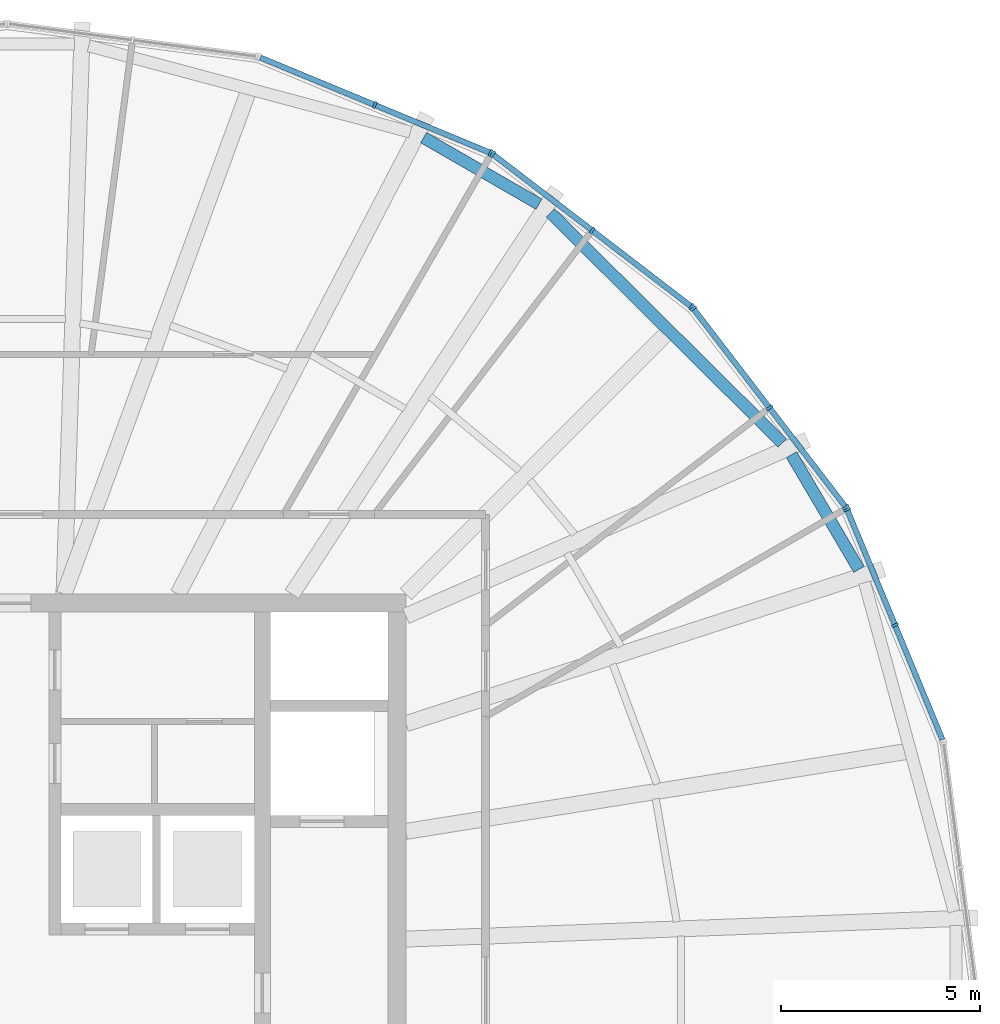
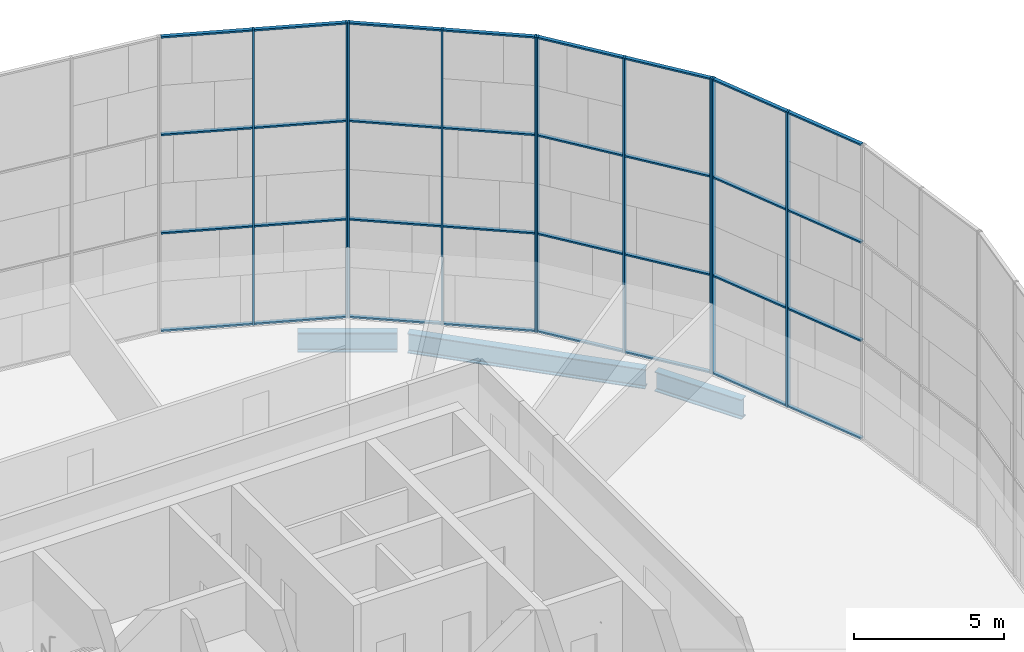
# One storey, part 8 of 22: 42 members, 3 beams, 4 elements without a shape of their own.
"""IFC4 building model written with IfcOpenShell, lengths in metres."""

from ifc_helpers import new_model, si_unit, direction, frame, origin, origin_2d, place, context, subcontext, project, spatial, rectangle, i_section, extrude, material, material_profile, profile_set, type_object, element, aggregate, save


model = new_model("IFC4")

# Units and contexts
model_context = context("Model", 3, precision=1e-05, world=origin(), true_north=direction((0.0, 1.0)))
body_context = subcontext(model_context, "Body", "Model", "MODEL_VIEW")
ifc_project = project(units=[si_unit("LENGTHUNIT", "METRE"), si_unit("AREAUNIT", "SQUARE_METRE"), si_unit("VOLUMEUNIT", "CUBIC_METRE"), si_unit("PLANEANGLEUNIT", "RADIAN"), si_unit("MASSUNIT", "GRAM", prefix="KILO")], contexts=[model_context])

# Site, building, storey
site_placement = place(None, origin())
site = spatial("IfcSite", under=ifc_project, at=site_placement, CompositionType="ELEMENT")
building_placement = place(site_placement, origin())
building = spatial("IfcBuilding", under=site, at=building_placement, Name="Golbaran Civic Tower", CompositionType="ELEMENT")
storey_placement = place(building_placement, frame((0.0, 0.0, 155.0)))
storey = spatial("IfcBuildingStorey", under=building, at=storey_placement, Name="L37", CompositionType="ELEMENT", Elevation=155.0)

# Beams
ifc_material_1 = material(Name="Steel S355", Category="steel")
ifc_material_profile_1 = material_profile(ifc_material_1, i_section(OverallWidth=0.300048828125, OverallDepth=0.800048828125, WebThickness=0.017578125, FlangeThickness=0.032958984375, FilletRadius=0.030029296875, at=origin_2d()), Name="HEB 800")
ifc_profile_set_1 = profile_set([ifc_material_profile_1], Name="Steel S355")
beam_type = type_object("IfcBeamType", Name="EDGE BEAM HEB 800", PredefinedType="BEAM", material=ifc_profile_set_1)
beam_1_placement = place(storey_placement, frame((21.356689453125, 10.617919921875, -0.60009765625), z_axis=(-0.506674807094, 0.862137251171, 0.0), x_axis=(-0.862137251171, -0.506674807094, 0.0)))
element("IfcBeam", 1, at=beam_1_placement, inside=storey, type_object=beam_type, Name="Edge beam 25.62 L37", PredefinedType="BEAM", context=body_context, shape_type="SweptSolid", body=[
    extrude(i_section(OverallWidth=0.300048828125, OverallDepth=0.800048828125, WebThickness=0.017578125, FlangeThickness=0.032958984375, FilletRadius=0.030029296875, at=origin_2d()), origin(), (0.0, 0.0, 1.0), 3.33740234375),
])
beam_2_placement = place(storey_placement, frame((19.4365234375, 13.78759765625, -0.60009765625), z_axis=(-0.709963262307, 0.704238713913, 0.0), x_axis=(-0.704238713913, -0.709963262307, 0.0)))
element("IfcBeam", 2, at=beam_2_placement, inside=storey, type_object=beam_type, Name="Edge beam 34.38 L37", PredefinedType="BEAM", context=body_context, shape_type="SweptSolid", body=[
    extrude(i_section(OverallWidth=0.300048828125, OverallDepth=0.800048828125, WebThickness=0.017578125, FlangeThickness=0.032958984375, FilletRadius=0.030029296875, at=origin_2d()), origin(), (0.0, 0.0, 1.0), 8.1884765625),
])
beam_3_placement = place(storey_placement, frame((13.33642578125, 19.773681640625, -0.60009765625), z_axis=(-0.866175852343, 0.499739324867, 0.0), x_axis=(-0.499739324867, -0.866175852343, 0.0)))
element("IfcBeam", 3, at=beam_3_placement, inside=storey, type_object=beam_type, Name="Edge beam 55.62 L37", PredefinedType="BEAM", context=body_context, shape_type="SweptSolid", body=[
    extrude(i_section(OverallWidth=0.300048828125, OverallDepth=0.800048828125, WebThickness=0.017578125, FlangeThickness=0.032958984375, FilletRadius=0.030029296875, at=origin_2d()), origin(), (0.0, 0.0, 1.0), 3.340576171875),
])

# Curtain wall, members
ifc_material_2 = material(Name="Aluminium and glass", Category="aluminium")
curtain_wall_type = type_object("IfcCurtainWallType", Name="INNER SKIN CURTAIN WALL", PredefinedType="NOTDEFINED", material=ifc_material_2)
curtain_wall_1_placement = place(storey_placement, origin())
curtain_wall_1 = element("IfcCurtainWall", 4, at=curtain_wall_1_placement, inside=storey, type_object=curtain_wall_type, Name="Inner skin L37 facet 2 CW1", ObjectType="INNER SKIN", PredefinedType="USERDEFINED")
ifc_material_3 = material(Name="Aluminium", Category="aluminium")
ifc_material_profile_2 = material_profile(ifc_material_3, rectangle(XDim=0.179931640625, YDim=0.06494140625, at=origin_2d()), Name="INNER SKIN CURTAIN WALL MULLION")
ifc_profile_set_2 = profile_set([ifc_material_profile_2], Name="Aluminium")
member_type_1 = type_object("IfcMemberType", Name="INNER SKIN CURTAIN WALL MULLION", PredefinedType="MULLION", material=ifc_profile_set_2)
member_1_placement = place(storey_placement, frame((22.260009765625, 9.220458984375, 0.0), z_axis=(0.0, 0.0, 1.0), x_axis=(-0.923879532551, -0.382683432268, 0.0)))
member_1 = element("IfcMember", 5, at=member_1_placement, type_object=member_type_1, Name="CW1 mullion 2", PredefinedType="MULLION", context=body_context, shape_type="SweptSolid", body=[
    extrude(rectangle(XDim=0.179931640625, YDim=0.06494140625, at=origin_2d()), origin(), (0.0, 0.0, 1.0), 12.0),
])
member_2_placement = place(storey_placement, frame((21.05859375, 12.12109375, 0.0), z_axis=(0.0, 0.0, 1.0), x_axis=(-0.923879532551, -0.382683432268, 0.0)))
member_2 = element("IfcMember", 6, at=member_2_placement, type_object=member_type_1, Name="CW1 mullion 3", PredefinedType="MULLION", context=body_context, shape_type="SweptSolid", body=[
    extrude(rectangle(XDim=0.179931640625, YDim=0.06494140625, at=origin_2d()), origin(), (0.0, 0.0, 1.0), 12.0),
])

curtain_wall_2_placement = place(storey_placement, origin())
curtain_wall_2 = element("IfcCurtainWall", 7, at=curtain_wall_2_placement, inside=storey, type_object=curtain_wall_type, Name="Inner skin L37 facet 3 CW1", ObjectType="INNER SKIN", PredefinedType="USERDEFINED")
member_3_placement = place(storey_placement, frame((21.0263671875, 12.1767578125, 0.0), z_axis=(0.0, 0.0, 1.0), x_axis=(-0.793353340217, -0.608761429106, 0.0)))
member_3 = element("IfcMember", 8, at=member_3_placement, type_object=member_type_1, Name="CW1 mullion 1", PredefinedType="MULLION", context=body_context, shape_type="SweptSolid", body=[
    extrude(rectangle(XDim=0.179931640625, YDim=0.06494140625, at=origin_2d()), origin(), (0.0, 0.0, 1.0), 12.0),
])
member_4_placement = place(storey_placement, frame((19.115234375, 14.66748046875, 0.0), z_axis=(0.0, 0.0, 1.0), x_axis=(-0.793353340217, -0.608761429106, 0.0)))
member_4 = element("IfcMember", 9, at=member_4_placement, type_object=member_type_1, Name="CW1 mullion 2", PredefinedType="MULLION", context=body_context, shape_type="SweptSolid", body=[
    extrude(rectangle(XDim=0.179931640625, YDim=0.06494140625, at=origin_2d()), origin(), (0.0, 0.0, 1.0), 12.0),
])
member_5_placement = place(storey_placement, frame((17.203857421875, 17.158203125, 0.0), z_axis=(0.0, 0.0, 1.0), x_axis=(-0.793353340217, -0.608761429106, 0.0)))
member_5 = element("IfcMember", 10, at=member_5_placement, type_object=member_type_1, Name="CW1 mullion 3", PredefinedType="MULLION", context=body_context, shape_type="SweptSolid", body=[
    extrude(rectangle(XDim=0.179931640625, YDim=0.06494140625, at=origin_2d()), origin(), (0.0, 0.0, 1.0), 12.0),
])

curtain_wall_3_placement = place(storey_placement, origin())
curtain_wall_3 = element("IfcCurtainWall", 11, at=curtain_wall_3_placement, inside=storey, type_object=curtain_wall_type, Name="Inner skin L37 facet 4 CW1", ObjectType="INNER SKIN", PredefinedType="USERDEFINED")
member_6_placement = place(storey_placement, frame((17.158203125, 17.203857421875, 0.0), z_axis=(0.0, 0.0, 1.0), x_axis=(-0.608761429106, -0.793353340217, 0.0)))
member_6 = element("IfcMember", 12, at=member_6_placement, type_object=member_type_1, Name="CW1 mullion 1", PredefinedType="MULLION", context=body_context, shape_type="SweptSolid", body=[
    extrude(rectangle(XDim=0.179931640625, YDim=0.06494140625, at=origin_2d()), origin(), (0.0, 0.0, 1.0), 12.0),
])
member_7_placement = place(storey_placement, frame((14.66748046875, 19.115234375, 0.0), z_axis=(0.0, 0.0, 1.0), x_axis=(-0.608761429106, -0.793353340217, 0.0)))
member_7 = element("IfcMember", 13, at=member_7_placement, type_object=member_type_1, Name="CW1 mullion 2", PredefinedType="MULLION", context=body_context, shape_type="SweptSolid", body=[
    extrude(rectangle(XDim=0.179931640625, YDim=0.06494140625, at=origin_2d()), origin(), (0.0, 0.0, 1.0), 12.0),
])
member_8_placement = place(storey_placement, frame((12.1767578125, 21.0263671875, 0.0), z_axis=(0.0, 0.0, 1.0), x_axis=(-0.608761429106, -0.793353340217, 0.0)))
member_8 = element("IfcMember", 14, at=member_8_placement, type_object=member_type_1, Name="CW1 mullion 3", PredefinedType="MULLION", context=body_context, shape_type="SweptSolid", body=[
    extrude(rectangle(XDim=0.179931640625, YDim=0.06494140625, at=origin_2d()), origin(), (0.0, 0.0, 1.0), 12.0),
])

curtain_wall_4_placement = place(storey_placement, origin())
curtain_wall_4 = element("IfcCurtainWall", 15, at=curtain_wall_4_placement, inside=storey, type_object=curtain_wall_type, Name="Inner skin L37 facet 5 CW1", ObjectType="INNER SKIN", PredefinedType="USERDEFINED")
member_9_placement = place(storey_placement, frame((12.12109375, 21.05859375, 0.0), z_axis=(0.0, 0.0, 1.0), x_axis=(-0.382683432268, -0.923879532551, 0.0)))
member_9 = element("IfcMember", 16, at=member_9_placement, type_object=member_type_1, Name="CW1 mullion 1", PredefinedType="MULLION", context=body_context, shape_type="SweptSolid", body=[
    extrude(rectangle(XDim=0.179931640625, YDim=0.06494140625, at=origin_2d()), origin(), (0.0, 0.0, 1.0), 12.0),
])
member_10_placement = place(storey_placement, frame((9.220458984375, 22.260009765625, 0.0), z_axis=(0.0, 0.0, 1.0), x_axis=(-0.382683432268, -0.923879532551, 0.0)))
member_10 = element("IfcMember", 17, at=member_10_placement, type_object=member_type_1, Name="CW1 mullion 2", PredefinedType="MULLION", context=body_context, shape_type="SweptSolid", body=[
    extrude(rectangle(XDim=0.179931640625, YDim=0.06494140625, at=origin_2d()), origin(), (0.0, 0.0, 1.0), 12.0),
])

# Member
ifc_material_profile_3 = material_profile(ifc_material_3, rectangle(XDim=0.139892578125, YDim=0.06494140625, at=origin_2d()), Name="INNER SKIN CURTAIN WALL TRANSOM")
ifc_profile_set_3 = profile_set([ifc_material_profile_3], Name="Aluminium")
member_type_2 = type_object("IfcMemberType", Name="INNER SKIN CURTAIN WALL TRANSOM", PredefinedType="USERDEFINED", material=ifc_profile_set_3)
member_11_placement = place(storey_placement, frame((23.448974609375, 6.349853515625, 0.032470703125), z_axis=(-0.38265802939, 0.923890054359, 0.0), x_axis=(-0.923890054359, -0.38265802939, 0.0)))
member_11 = element("IfcMember", 18, at=member_11_placement, type_object=member_type_2, Name="CW1 transom 1.1", ObjectType="TRANSOM", PredefinedType="USERDEFINED", context=body_context, shape_type="SweptSolid", body=[
    extrude(rectangle(XDim=0.139892578125, YDim=0.06494140625, at=origin_2d()), origin(), (0.0, 0.0, 1.0), 3.074462890625),
])

member_12_placement = place(storey_placement, frame((23.448974609375, 6.349853515625, 4.0), z_axis=(-0.38265802939, 0.923890054359, 0.0), x_axis=(-0.923890054359, -0.38265802939, 0.0)))
member_12 = element("IfcMember", 19, at=member_12_placement, type_object=member_type_2, Name="CW1 transom 1.2", ObjectType="TRANSOM", PredefinedType="USERDEFINED", context=body_context, shape_type="SweptSolid", body=[
    extrude(rectangle(XDim=0.139892578125, YDim=0.06494140625, at=origin_2d()), origin(), (0.0, 0.0, 1.0), 3.074462890625),
])

member_13_placement = place(storey_placement, frame((23.448974609375, 6.349853515625, 8.0), z_axis=(-0.38265802939, 0.923890054359, 0.0), x_axis=(-0.923890054359, -0.38265802939, 0.0)))
member_13 = element("IfcMember", 20, at=member_13_placement, type_object=member_type_2, Name="CW1 transom 1.3", ObjectType="TRANSOM", PredefinedType="USERDEFINED", context=body_context, shape_type="SweptSolid", body=[
    extrude(rectangle(XDim=0.139892578125, YDim=0.06494140625, at=origin_2d()), origin(), (0.0, 0.0, 1.0), 3.074462890625),
])

member_14_placement = place(storey_placement, frame((23.448974609375, 6.349853515625, 11.967529296875), z_axis=(-0.38265802939, 0.923890054359, 0.0), x_axis=(-0.923890054359, -0.38265802939, 0.0)))
member_14 = element("IfcMember", 21, at=member_14_placement, type_object=member_type_2, Name="CW1 transom 1.4", ObjectType="TRANSOM", PredefinedType="USERDEFINED", context=body_context, shape_type="SweptSolid", body=[
    extrude(rectangle(XDim=0.139892578125, YDim=0.06494140625, at=origin_2d()), origin(), (0.0, 0.0, 1.0), 3.074462890625),
])

member_15_placement = place(storey_placement, frame((22.24755859375, 9.25048828125, 0.032470703125), z_axis=(-0.38265802939, 0.923890054359, 0.0), x_axis=(-0.923890054359, -0.38265802939, 0.0)))
member_15 = element("IfcMember", 22, at=member_15_placement, type_object=member_type_2, Name="CW1 transom 2.1", ObjectType="TRANSOM", PredefinedType="USERDEFINED", context=body_context, shape_type="SweptSolid", body=[
    extrude(rectangle(XDim=0.139892578125, YDim=0.06494140625, at=origin_2d()), origin(), (0.0, 0.0, 1.0), 3.074462890625),
])

member_16_placement = place(storey_placement, frame((22.24755859375, 9.25048828125, 4.0), z_axis=(-0.38265802939, 0.923890054359, 0.0), x_axis=(-0.923890054359, -0.38265802939, 0.0)))
member_16 = element("IfcMember", 23, at=member_16_placement, type_object=member_type_2, Name="CW1 transom 2.2", ObjectType="TRANSOM", PredefinedType="USERDEFINED", context=body_context, shape_type="SweptSolid", body=[
    extrude(rectangle(XDim=0.139892578125, YDim=0.06494140625, at=origin_2d()), origin(), (0.0, 0.0, 1.0), 3.074462890625),
])

member_17_placement = place(storey_placement, frame((22.24755859375, 9.25048828125, 8.0), z_axis=(-0.38265802939, 0.923890054359, 0.0), x_axis=(-0.923890054359, -0.38265802939, 0.0)))
member_17 = element("IfcMember", 24, at=member_17_placement, type_object=member_type_2, Name="CW1 transom 2.3", ObjectType="TRANSOM", PredefinedType="USERDEFINED", context=body_context, shape_type="SweptSolid", body=[
    extrude(rectangle(XDim=0.139892578125, YDim=0.06494140625, at=origin_2d()), origin(), (0.0, 0.0, 1.0), 3.074462890625),
])

member_18_placement = place(storey_placement, frame((22.24755859375, 9.25048828125, 11.967529296875), z_axis=(-0.38265802939, 0.923890054359, 0.0), x_axis=(-0.923890054359, -0.38265802939, 0.0)))
member_18 = element("IfcMember", 25, at=member_18_placement, type_object=member_type_2, Name="CW1 transom 2.4", ObjectType="TRANSOM", PredefinedType="USERDEFINED", context=body_context, shape_type="SweptSolid", body=[
    extrude(rectangle(XDim=0.139892578125, YDim=0.06494140625, at=origin_2d()), origin(), (0.0, 0.0, 1.0), 3.074462890625),
])

aggregate(curtain_wall_1, [member_1, member_2, member_11, member_12, member_13, member_14, member_15, member_16, member_17, member_18])

member_19_placement = place(storey_placement, frame((21.006591796875, 12.20263671875, 0.032470703125), z_axis=(-0.608743239182, 0.793367297505, 0.0), x_axis=(-0.793367297505, -0.608743239182, 0.0)))
member_19 = element("IfcMember", 26, at=member_19_placement, type_object=member_type_2, Name="CW1 transom 1.1", ObjectType="TRANSOM", PredefinedType="USERDEFINED", context=body_context, shape_type="SweptSolid", body=[
    extrude(rectangle(XDim=0.139892578125, YDim=0.06494140625, at=origin_2d()), origin(), (0.0, 0.0, 1.0), 3.074462890625),
])

member_20_placement = place(storey_placement, frame((21.006591796875, 12.20263671875, 4.0), z_axis=(-0.608743239182, 0.793367297505, 0.0), x_axis=(-0.793367297505, -0.608743239182, 0.0)))
member_20 = element("IfcMember", 27, at=member_20_placement, type_object=member_type_2, Name="CW1 transom 1.2", ObjectType="TRANSOM", PredefinedType="USERDEFINED", context=body_context, shape_type="SweptSolid", body=[
    extrude(rectangle(XDim=0.139892578125, YDim=0.06494140625, at=origin_2d()), origin(), (0.0, 0.0, 1.0), 3.074462890625),
])

member_21_placement = place(storey_placement, frame((21.006591796875, 12.20263671875, 8.0), z_axis=(-0.608743239182, 0.793367297505, 0.0), x_axis=(-0.793367297505, -0.608743239182, 0.0)))
member_21 = element("IfcMember", 28, at=member_21_placement, type_object=member_type_2, Name="CW1 transom 1.3", ObjectType="TRANSOM", PredefinedType="USERDEFINED", context=body_context, shape_type="SweptSolid", body=[
    extrude(rectangle(XDim=0.139892578125, YDim=0.06494140625, at=origin_2d()), origin(), (0.0, 0.0, 1.0), 3.074462890625),
])

member_22_placement = place(storey_placement, frame((21.006591796875, 12.20263671875, 11.967529296875), z_axis=(-0.608743239182, 0.793367297505, 0.0), x_axis=(-0.793367297505, -0.608743239182, 0.0)))
member_22 = element("IfcMember", 29, at=member_22_placement, type_object=member_type_2, Name="CW1 transom 1.4", ObjectType="TRANSOM", PredefinedType="USERDEFINED", context=body_context, shape_type="SweptSolid", body=[
    extrude(rectangle(XDim=0.139892578125, YDim=0.06494140625, at=origin_2d()), origin(), (0.0, 0.0, 1.0), 3.074462890625),
])

member_23_placement = place(storey_placement, frame((19.095458984375, 14.693359375, 0.032470703125), z_axis=(-0.608793217592, 0.793328947041, 0.0), x_axis=(-0.793328947041, -0.608793217592, 0.0)))
member_23 = element("IfcMember", 30, at=member_23_placement, type_object=member_type_2, Name="CW1 transom 2.1", ObjectType="TRANSOM", PredefinedType="USERDEFINED", context=body_context, shape_type="SweptSolid", body=[
    extrude(rectangle(XDim=0.139892578125, YDim=0.06494140625, at=origin_2d()), origin(), (0.0, 0.0, 1.0), 3.07470703125),
])

member_24_placement = place(storey_placement, frame((19.095458984375, 14.693359375, 4.0), z_axis=(-0.608793217592, 0.793328947041, 0.0), x_axis=(-0.793328947041, -0.608793217592, 0.0)))
member_24 = element("IfcMember", 31, at=member_24_placement, type_object=member_type_2, Name="CW1 transom 2.2", ObjectType="TRANSOM", PredefinedType="USERDEFINED", context=body_context, shape_type="SweptSolid", body=[
    extrude(rectangle(XDim=0.139892578125, YDim=0.06494140625, at=origin_2d()), origin(), (0.0, 0.0, 1.0), 3.07470703125),
])

member_25_placement = place(storey_placement, frame((19.095458984375, 14.693359375, 8.0), z_axis=(-0.608793217592, 0.793328947041, 0.0), x_axis=(-0.793328947041, -0.608793217592, 0.0)))
member_25 = element("IfcMember", 32, at=member_25_placement, type_object=member_type_2, Name="CW1 transom 2.3", ObjectType="TRANSOM", PredefinedType="USERDEFINED", context=body_context, shape_type="SweptSolid", body=[
    extrude(rectangle(XDim=0.139892578125, YDim=0.06494140625, at=origin_2d()), origin(), (0.0, 0.0, 1.0), 3.07470703125),
])

member_26_placement = place(storey_placement, frame((19.095458984375, 14.693359375, 11.967529296875), z_axis=(-0.608793217592, 0.793328947041, 0.0), x_axis=(-0.793328947041, -0.608793217592, 0.0)))
member_26 = element("IfcMember", 33, at=member_26_placement, type_object=member_type_2, Name="CW1 transom 2.4", ObjectType="TRANSOM", PredefinedType="USERDEFINED", context=body_context, shape_type="SweptSolid", body=[
    extrude(rectangle(XDim=0.139892578125, YDim=0.06494140625, at=origin_2d()), origin(), (0.0, 0.0, 1.0), 3.07470703125),
])

aggregate(curtain_wall_2, [member_3, member_4, member_5, member_19, member_20, member_21, member_22, member_23, member_24, member_25, member_26])

member_27_placement = place(storey_placement, frame((17.132568359375, 17.2236328125, 0.032470703125), z_axis=(-0.793328947041, 0.608793217592, 0.0), x_axis=(-0.608793217592, -0.793328947041, 0.0)))
member_27 = element("IfcMember", 34, at=member_27_placement, type_object=member_type_2, Name="CW1 transom 1.1", ObjectType="TRANSOM", PredefinedType="USERDEFINED", context=body_context, shape_type="SweptSolid", body=[
    extrude(rectangle(XDim=0.139892578125, YDim=0.06494140625, at=origin_2d()), origin(), (0.0, 0.0, 1.0), 3.07470703125),
])

member_28_placement = place(storey_placement, frame((17.132568359375, 17.2236328125, 4.0), z_axis=(-0.793328947041, 0.608793217592, 0.0), x_axis=(-0.608793217592, -0.793328947041, 0.0)))
member_28 = element("IfcMember", 35, at=member_28_placement, type_object=member_type_2, Name="CW1 transom 1.2", ObjectType="TRANSOM", PredefinedType="USERDEFINED", context=body_context, shape_type="SweptSolid", body=[
    extrude(rectangle(XDim=0.139892578125, YDim=0.06494140625, at=origin_2d()), origin(), (0.0, 0.0, 1.0), 3.07470703125),
])

member_29_placement = place(storey_placement, frame((17.132568359375, 17.2236328125, 8.0), z_axis=(-0.793328947041, 0.608793217592, 0.0), x_axis=(-0.608793217592, -0.793328947041, 0.0)))
member_29 = element("IfcMember", 36, at=member_29_placement, type_object=member_type_2, Name="CW1 transom 1.3", ObjectType="TRANSOM", PredefinedType="USERDEFINED", context=body_context, shape_type="SweptSolid", body=[
    extrude(rectangle(XDim=0.139892578125, YDim=0.06494140625, at=origin_2d()), origin(), (0.0, 0.0, 1.0), 3.07470703125),
])

member_30_placement = place(storey_placement, frame((17.132568359375, 17.2236328125, 11.967529296875), z_axis=(-0.793328947041, 0.608793217592, 0.0), x_axis=(-0.608793217592, -0.793328947041, 0.0)))
member_30 = element("IfcMember", 37, at=member_30_placement, type_object=member_type_2, Name="CW1 transom 1.4", ObjectType="TRANSOM", PredefinedType="USERDEFINED", context=body_context, shape_type="SweptSolid", body=[
    extrude(rectangle(XDim=0.139892578125, YDim=0.06494140625, at=origin_2d()), origin(), (0.0, 0.0, 1.0), 3.07470703125),
])

member_31_placement = place(storey_placement, frame((14.641845703125, 19.135009765625, 0.032470703125), z_axis=(-0.793367297505, 0.608743239182, 0.0), x_axis=(-0.608743239182, -0.793367297505, 0.0)))
member_31 = element("IfcMember", 38, at=member_31_placement, type_object=member_type_2, Name="CW1 transom 2.1", ObjectType="TRANSOM", PredefinedType="USERDEFINED", context=body_context, shape_type="SweptSolid", body=[
    extrude(rectangle(XDim=0.139892578125, YDim=0.06494140625, at=origin_2d()), origin(), (0.0, 0.0, 1.0), 3.074462890625),
])

member_32_placement = place(storey_placement, frame((14.641845703125, 19.135009765625, 4.0), z_axis=(-0.793367297505, 0.608743239182, 0.0), x_axis=(-0.608743239182, -0.793367297505, 0.0)))
member_32 = element("IfcMember", 39, at=member_32_placement, type_object=member_type_2, Name="CW1 transom 2.2", ObjectType="TRANSOM", PredefinedType="USERDEFINED", context=body_context, shape_type="SweptSolid", body=[
    extrude(rectangle(XDim=0.139892578125, YDim=0.06494140625, at=origin_2d()), origin(), (0.0, 0.0, 1.0), 3.074462890625),
])

member_33_placement = place(storey_placement, frame((14.641845703125, 19.135009765625, 8.0), z_axis=(-0.793367297505, 0.608743239182, 0.0), x_axis=(-0.608743239182, -0.793367297505, 0.0)))
member_33 = element("IfcMember", 40, at=member_33_placement, type_object=member_type_2, Name="CW1 transom 2.3", ObjectType="TRANSOM", PredefinedType="USERDEFINED", context=body_context, shape_type="SweptSolid", body=[
    extrude(rectangle(XDim=0.139892578125, YDim=0.06494140625, at=origin_2d()), origin(), (0.0, 0.0, 1.0), 3.074462890625),
])

member_34_placement = place(storey_placement, frame((14.641845703125, 19.135009765625, 11.967529296875), z_axis=(-0.793367297505, 0.608743239182, 0.0), x_axis=(-0.608743239182, -0.793367297505, 0.0)))
member_34 = element("IfcMember", 41, at=member_34_placement, type_object=member_type_2, Name="CW1 transom 2.4", ObjectType="TRANSOM", PredefinedType="USERDEFINED", context=body_context, shape_type="SweptSolid", body=[
    extrude(rectangle(XDim=0.139892578125, YDim=0.06494140625, at=origin_2d()), origin(), (0.0, 0.0, 1.0), 3.074462890625),
])

aggregate(curtain_wall_3, [member_6, member_7, member_8, member_27, member_28, member_29, member_30, member_31, member_32, member_33, member_34])

member_35_placement = place(storey_placement, frame((12.091064453125, 21.071044921875, 0.032470703125), z_axis=(-0.923890054359, 0.38265802939, 0.0), x_axis=(-0.38265802939, -0.923890054359, 0.0)))
member_35 = element("IfcMember", 42, at=member_35_placement, type_object=member_type_2, Name="CW1 transom 1.1", ObjectType="TRANSOM", PredefinedType="USERDEFINED", context=body_context, shape_type="SweptSolid", body=[
    extrude(rectangle(XDim=0.139892578125, YDim=0.06494140625, at=origin_2d()), origin(), (0.0, 0.0, 1.0), 3.074462890625),
])

member_36_placement = place(storey_placement, frame((12.091064453125, 21.071044921875, 4.0), z_axis=(-0.923890054359, 0.38265802939, 0.0), x_axis=(-0.38265802939, -0.923890054359, 0.0)))
member_36 = element("IfcMember", 43, at=member_36_placement, type_object=member_type_2, Name="CW1 transom 1.2", ObjectType="TRANSOM", PredefinedType="USERDEFINED", context=body_context, shape_type="SweptSolid", body=[
    extrude(rectangle(XDim=0.139892578125, YDim=0.06494140625, at=origin_2d()), origin(), (0.0, 0.0, 1.0), 3.074462890625),
])

member_37_placement = place(storey_placement, frame((12.091064453125, 21.071044921875, 8.0), z_axis=(-0.923890054359, 0.38265802939, 0.0), x_axis=(-0.38265802939, -0.923890054359, 0.0)))
member_37 = element("IfcMember", 44, at=member_37_placement, type_object=member_type_2, Name="CW1 transom 1.3", ObjectType="TRANSOM", PredefinedType="USERDEFINED", context=body_context, shape_type="SweptSolid", body=[
    extrude(rectangle(XDim=0.139892578125, YDim=0.06494140625, at=origin_2d()), origin(), (0.0, 0.0, 1.0), 3.074462890625),
])

member_38_placement = place(storey_placement, frame((12.091064453125, 21.071044921875, 11.967529296875), z_axis=(-0.923890054359, 0.38265802939, 0.0), x_axis=(-0.38265802939, -0.923890054359, 0.0)))
member_38 = element("IfcMember", 45, at=member_38_placement, type_object=member_type_2, Name="CW1 transom 1.4", ObjectType="TRANSOM", PredefinedType="USERDEFINED", context=body_context, shape_type="SweptSolid", body=[
    extrude(rectangle(XDim=0.139892578125, YDim=0.06494140625, at=origin_2d()), origin(), (0.0, 0.0, 1.0), 3.074462890625),
])

member_39_placement = place(storey_placement, frame((9.1904296875, 22.2724609375, 0.032470703125), z_axis=(-0.923890054359, 0.38265802939, 0.0), x_axis=(-0.38265802939, -0.923890054359, 0.0)))
member_39 = element("IfcMember", 46, at=member_39_placement, type_object=member_type_2, Name="CW1 transom 2.1", ObjectType="TRANSOM", PredefinedType="USERDEFINED", context=body_context, shape_type="SweptSolid", body=[
    extrude(rectangle(XDim=0.139892578125, YDim=0.06494140625, at=origin_2d()), origin(), (0.0, 0.0, 1.0), 3.074462890625),
])

member_40_placement = place(storey_placement, frame((9.1904296875, 22.2724609375, 4.0), z_axis=(-0.923890054359, 0.38265802939, 0.0), x_axis=(-0.38265802939, -0.923890054359, 0.0)))
member_40 = element("IfcMember", 47, at=member_40_placement, type_object=member_type_2, Name="CW1 transom 2.2", ObjectType="TRANSOM", PredefinedType="USERDEFINED", context=body_context, shape_type="SweptSolid", body=[
    extrude(rectangle(XDim=0.139892578125, YDim=0.06494140625, at=origin_2d()), origin(), (0.0, 0.0, 1.0), 3.074462890625),
])

member_41_placement = place(storey_placement, frame((9.1904296875, 22.2724609375, 8.0), z_axis=(-0.923890054359, 0.38265802939, 0.0), x_axis=(-0.38265802939, -0.923890054359, 0.0)))
member_41 = element("IfcMember", 48, at=member_41_placement, type_object=member_type_2, Name="CW1 transom 2.3", ObjectType="TRANSOM", PredefinedType="USERDEFINED", context=body_context, shape_type="SweptSolid", body=[
    extrude(rectangle(XDim=0.139892578125, YDim=0.06494140625, at=origin_2d()), origin(), (0.0, 0.0, 1.0), 3.074462890625),
])

member_42_placement = place(storey_placement, frame((9.1904296875, 22.2724609375, 11.967529296875), z_axis=(-0.923890054359, 0.38265802939, 0.0), x_axis=(-0.38265802939, -0.923890054359, 0.0)))
member_42 = element("IfcMember", 49, at=member_42_placement, type_object=member_type_2, Name="CW1 transom 2.4", ObjectType="TRANSOM", PredefinedType="USERDEFINED", context=body_context, shape_type="SweptSolid", body=[
    extrude(rectangle(XDim=0.139892578125, YDim=0.06494140625, at=origin_2d()), origin(), (0.0, 0.0, 1.0), 3.074462890625),
])

aggregate(curtain_wall_4, [member_9, member_10, member_35, member_36, member_37, member_38, member_39, member_40, member_41, member_42])

save(model, "model.ifc")
